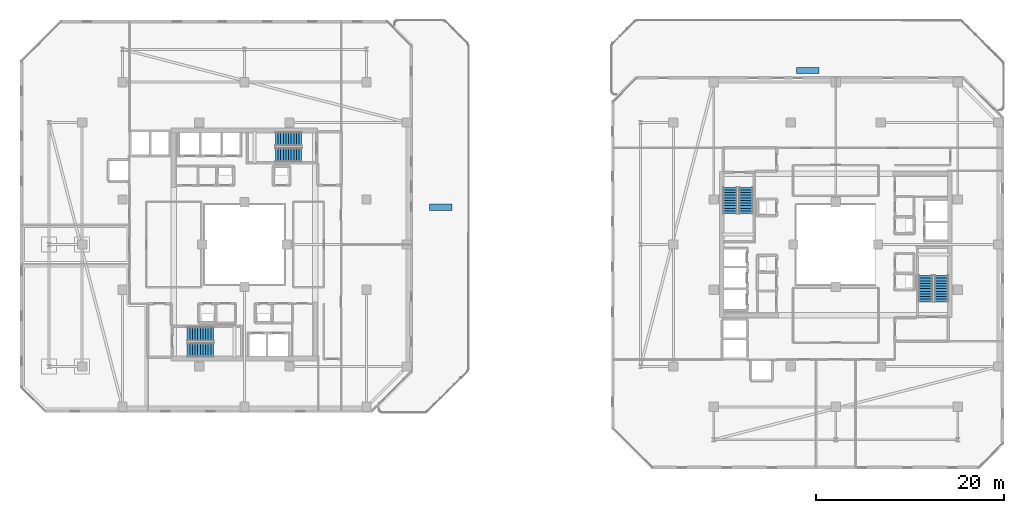
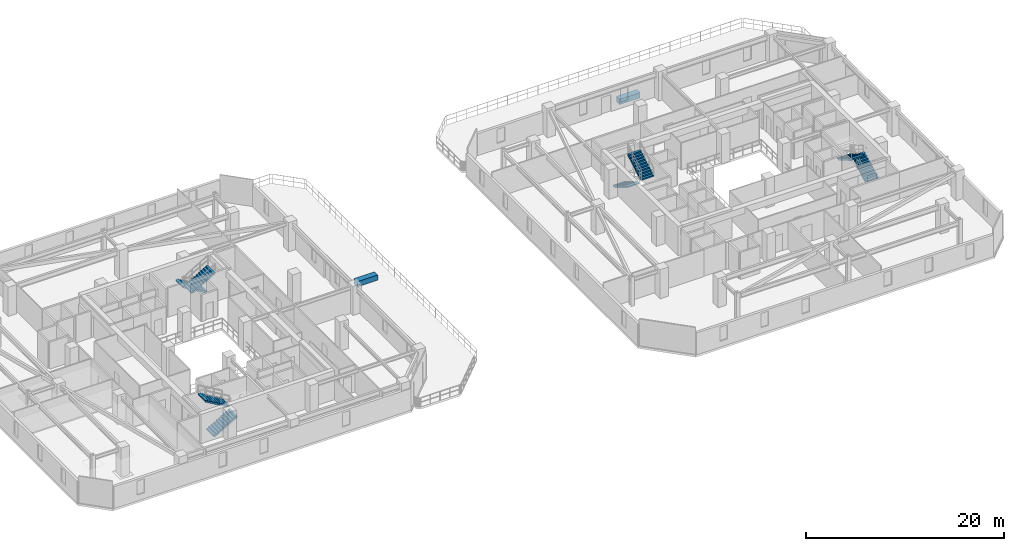
# One storey, part 27 of 32: 8 stair flights, 2 discrete accessories, 4 elements without a shape of their own.
"""IFC4 building model written with IfcOpenShell, lengths in metres."""

from ifc_helpers import new_model, si_unit, direction, frame, origin, origin_2d, place, context, subcontext, project, spatial, polyline, rectangle, outline, extrude, material, type_object, element, aggregate, save


model = new_model("IFC4")

# Units and contexts
model_context = context("Model", 3, precision=1e-05, world=origin(), true_north=direction((0.0, 1.0)))
body_context = subcontext(model_context, "Body", "Model", "MODEL_VIEW")
ifc_project = project(units=[si_unit("LENGTHUNIT", "METRE"), si_unit("AREAUNIT", "SQUARE_METRE"), si_unit("VOLUMEUNIT", "CUBIC_METRE"), si_unit("PLANEANGLEUNIT", "RADIAN"), si_unit("MASSUNIT", "GRAM", prefix="KILO")], contexts=[model_context])

# Site, building, storey
site_placement = place(None, origin())
site = spatial("IfcSite", under=ifc_project, at=site_placement, CompositionType="ELEMENT")
building_placement = place(site_placement, origin())
building = spatial("IfcBuilding", under=site, at=building_placement, Name="Thornwick Lancets Civic Towers", CompositionType="ELEMENT")
storey_placement = place(building_placement, frame((0.0, 0.0, 200.10009765625)))
storey = spatial("IfcBuildingStorey", under=building, at=storey_placement, Name="L53", CompositionType="ELEMENT", Elevation=200.10009765625)

# Stair, stair flights
ifc_material_1 = material(Name="Concrete C40/50", Category="concrete")
stair_type = type_object("IfcStairType", Name="STAIR_DL_3600", PredefinedType="HALF_TURN_STAIR", material=ifc_material_1)
stair_1_placement = place(storey_placement, origin())
stair_1 = element("IfcStair", 1, at=stair_1_placement, inside=storey, type_object=stair_type, Name="L53 Tower A South Exit Stair ST-A1", PredefinedType="HALF_TURN_STAIR")
stair_flight_type = type_object("IfcStairFlightType", Name="FLIGHT_3600", PredefinedType="STRAIGHT", material=ifc_material_1)
stair_flight_1_placement = place(storey_placement, frame((19.39990234375, 15.75, 0.0), z_axis=(0.0, 0.0, 1.0), x_axis=(1.0, 0.0, 0.0)))
stair_flight_1 = element("IfcStairFlight", 2, at=stair_flight_1_placement, type_object=stair_flight_type, Name="ST-A1 flight 1", NumberOfRisers=11, NumberOfTreads=10, PredefinedType="STRAIGHT", RiserHeight=0.163636364, TreadLength=0.28, context=body_context, shape_type="SweptSolid", body=[
    extrude(outline(polyline([(0.0, 0.0), (0.0, 0.16357421875), (0.280029296875, 0.16357421875), (0.280029296875, 0.327392578125), (0.56005859375, 0.327392578125), (0.56005859375, 0.490966796875), (0.840087890625, 0.490966796875), (0.840087890625, 0.654541015625), (1.1201171875, 0.654541015625), (1.1201171875, 0.818115234375), (1.39990234375, 0.818115234375), (1.39990234375, 0.98193359375), (1.679931640625, 0.98193359375), (1.679931640625, 1.1455078125), (1.9599609375, 1.1455078125), (1.9599609375, 1.30908203125), (2.239990234375, 1.30908203125), (2.239990234375, 1.47265625), (2.52001953125, 1.47265625), (2.52001953125, 1.636474609375), (2.800048828125, 1.636474609375), (2.800048828125, 1.800048828125), (2.800048828125, 1.462646484375), (0.297119140625, 0.0), (0.0, 0.0)])), frame((0.0, 0.75, 0.0), z_axis=(0.0, -1.0, 0.0), x_axis=(1.0, 0.0, 0.0)), (0.0, 0.0, 1.0), 1.5),
])
stair_flight_2_placement = place(storey_placement, frame((22.199951171875, 17.449951171875, 1.7998046875), z_axis=(0.0, 0.0, 1.0), x_axis=(-1.0, 0.0, 0.0)))
stair_flight_2 = element("IfcStairFlight", 3, at=stair_flight_2_placement, type_object=stair_flight_type, Name="ST-A1 flight 2", NumberOfRisers=11, NumberOfTreads=10, PredefinedType="STRAIGHT", RiserHeight=0.163636364, TreadLength=0.28, context=body_context, shape_type="SweptSolid", body=[
    extrude(outline(polyline([(0.0, 0.0), (0.0, 0.16357421875), (0.280029296875, 0.16357421875), (0.280029296875, 0.327392578125), (0.56005859375, 0.327392578125), (0.56005859375, 0.490966796875), (0.840087890625, 0.490966796875), (0.840087890625, 0.654541015625), (1.1201171875, 0.654541015625), (1.1201171875, 0.818115234375), (1.39990234375, 0.818115234375), (1.39990234375, 0.98193359375), (1.679931640625, 0.98193359375), (1.679931640625, 1.1455078125), (1.9599609375, 1.1455078125), (1.9599609375, 1.30908203125), (2.239990234375, 1.30908203125), (2.239990234375, 1.47265625), (2.52001953125, 1.47265625), (2.52001953125, 1.636474609375), (2.800048828125, 1.636474609375), (2.800048828125, 1.800048828125), (2.800048828125, 1.462646484375), (0.297119140625, 0.0), (0.0, 0.0)])), frame((0.0, 0.75, 0.0), z_axis=(0.0, -1.0, 0.0), x_axis=(1.0, 0.0, 0.0)), (0.0, 0.0, 1.0), 1.5),
])
aggregate(stair_1, [stair_flight_1, stair_flight_2])

stair_2_placement = place(storey_placement, origin())
stair_2 = element("IfcStair", 4, at=stair_2_placement, inside=storey, type_object=stair_type, Name="L53 Tower A North Exit Stair ST-A2", PredefinedType="HALF_TURN_STAIR")
stair_flight_3_placement = place(storey_placement, frame((31.60009765625, 38.25, 0.0), z_axis=(0.0, 0.0, 1.0), x_axis=(-1.0, 0.0, 0.0)))
stair_flight_3 = element("IfcStairFlight", 5, at=stair_flight_3_placement, type_object=stair_flight_type, Name="ST-A2 flight 1", NumberOfRisers=11, NumberOfTreads=10, PredefinedType="STRAIGHT", RiserHeight=0.163636364, TreadLength=0.28, context=body_context, shape_type="SweptSolid", body=[
    extrude(outline(polyline([(0.0, 0.0), (0.0, 0.16357421875), (0.280029296875, 0.16357421875), (0.280029296875, 0.327392578125), (0.56005859375, 0.327392578125), (0.56005859375, 0.490966796875), (0.840087890625, 0.490966796875), (0.840087890625, 0.654541015625), (1.1201171875, 0.654541015625), (1.1201171875, 0.818115234375), (1.39990234375, 0.818115234375), (1.39990234375, 0.98193359375), (1.679931640625, 0.98193359375), (1.679931640625, 1.1455078125), (1.9599609375, 1.1455078125), (1.9599609375, 1.30908203125), (2.239990234375, 1.30908203125), (2.239990234375, 1.47265625), (2.52001953125, 1.47265625), (2.52001953125, 1.636474609375), (2.800048828125, 1.636474609375), (2.800048828125, 1.800048828125), (2.800048828125, 1.462646484375), (0.297119140625, 0.0), (0.0, 0.0)])), frame((0.0, 0.75, 0.0), z_axis=(0.0, -1.0, 0.0), x_axis=(1.0, 0.0, 0.0)), (0.0, 0.0, 1.0), 1.5),
])
stair_flight_4_placement = place(storey_placement, frame((28.800048828125, 36.550048828125, 1.7998046875), z_axis=(0.0, 0.0, 1.0), x_axis=(1.0, 0.0, 0.0)))
stair_flight_4 = element("IfcStairFlight", 6, at=stair_flight_4_placement, type_object=stair_flight_type, Name="ST-A2 flight 2", NumberOfRisers=11, NumberOfTreads=10, PredefinedType="STRAIGHT", RiserHeight=0.163636364, TreadLength=0.28, context=body_context, shape_type="SweptSolid", body=[
    extrude(outline(polyline([(0.0, 0.0), (0.0, 0.16357421875), (0.280029296875, 0.16357421875), (0.280029296875, 0.327392578125), (0.56005859375, 0.327392578125), (0.56005859375, 0.490966796875), (0.840087890625, 0.490966796875), (0.840087890625, 0.654541015625), (1.1201171875, 0.654541015625), (1.1201171875, 0.818115234375), (1.39990234375, 0.818115234375), (1.39990234375, 0.98193359375), (1.679931640625, 0.98193359375), (1.679931640625, 1.1455078125), (1.9599609375, 1.1455078125), (1.9599609375, 1.30908203125), (2.239990234375, 1.30908203125), (2.239990234375, 1.47265625), (2.52001953125, 1.47265625), (2.52001953125, 1.636474609375), (2.800048828125, 1.636474609375), (2.800048828125, 1.800048828125), (2.800048828125, 1.462646484375), (0.297119140625, 0.0), (0.0, 0.0)])), frame((0.0, 0.75, 0.0), z_axis=(0.0, -1.0, 0.0), x_axis=(1.0, 0.0, 0.0)), (0.0, 0.0, 1.0), 1.5),
])
aggregate(stair_2, [stair_flight_3, stair_flight_4])

stair_3_placement = place(storey_placement, origin())
stair_3 = element("IfcStair", 7, at=stair_3_placement, inside=storey, type_object=stair_type, Name="L53 Tower B East Exit Stair ST-B1", PredefinedType="HALF_TURN_STAIR")
stair_flight_5_placement = place(storey_placement, frame((99.75, 20.89990234375, 0.0), z_axis=(0.0, 0.0, 1.0), x_axis=(0.0, 1.0, 0.0)))
stair_flight_5 = element("IfcStairFlight", 8, at=stair_flight_5_placement, type_object=stair_flight_type, Name="ST-B1 flight 1", NumberOfRisers=11, NumberOfTreads=10, PredefinedType="STRAIGHT", RiserHeight=0.163636364, TreadLength=0.28, context=body_context, shape_type="SweptSolid", body=[
    extrude(outline(polyline([(0.0, 0.0), (0.0, 0.16357421875), (0.280029296875, 0.16357421875), (0.280029296875, 0.327392578125), (0.56005859375, 0.327392578125), (0.56005859375, 0.490966796875), (0.840087890625, 0.490966796875), (0.840087890625, 0.654541015625), (1.1201171875, 0.654541015625), (1.1201171875, 0.818115234375), (1.39990234375, 0.818115234375), (1.39990234375, 0.98193359375), (1.679931640625, 0.98193359375), (1.679931640625, 1.1455078125), (1.9599609375, 1.1455078125), (1.9599609375, 1.30908203125), (2.239990234375, 1.30908203125), (2.239990234375, 1.47265625), (2.52001953125, 1.47265625), (2.52001953125, 1.636474609375), (2.800048828125, 1.636474609375), (2.800048828125, 1.800048828125), (2.800048828125, 1.462646484375), (0.297119140625, 0.0), (0.0, 0.0)])), frame((0.0, 0.75, 0.0), z_axis=(0.0, -1.0, 0.0), x_axis=(1.0, 0.0, 0.0)), (0.0, 0.0, 1.0), 1.5),
])
stair_flight_6_placement = place(storey_placement, frame((98.050048828125, 23.699951171875, 1.7998046875), z_axis=(0.0, 0.0, 1.0), x_axis=(0.0, -1.0, 0.0)))
stair_flight_6 = element("IfcStairFlight", 9, at=stair_flight_6_placement, type_object=stair_flight_type, Name="ST-B1 flight 2", NumberOfRisers=11, NumberOfTreads=10, PredefinedType="STRAIGHT", RiserHeight=0.163636364, TreadLength=0.28, context=body_context, shape_type="SweptSolid", body=[
    extrude(outline(polyline([(0.0, 0.0), (0.0, 0.16357421875), (0.280029296875, 0.16357421875), (0.280029296875, 0.327392578125), (0.56005859375, 0.327392578125), (0.56005859375, 0.490966796875), (0.840087890625, 0.490966796875), (0.840087890625, 0.654541015625), (1.1201171875, 0.654541015625), (1.1201171875, 0.818115234375), (1.39990234375, 0.818115234375), (1.39990234375, 0.98193359375), (1.679931640625, 0.98193359375), (1.679931640625, 1.1455078125), (1.9599609375, 1.1455078125), (1.9599609375, 1.30908203125), (2.239990234375, 1.30908203125), (2.239990234375, 1.47265625), (2.52001953125, 1.47265625), (2.52001953125, 1.636474609375), (2.800048828125, 1.636474609375), (2.800048828125, 1.800048828125), (2.800048828125, 1.462646484375), (0.297119140625, 0.0), (0.0, 0.0)])), frame((0.0, 0.75, 0.0), z_axis=(0.0, -1.0, 0.0), x_axis=(1.0, 0.0, 0.0)), (0.0, 0.0, 1.0), 1.5),
])
aggregate(stair_3, [stair_flight_5, stair_flight_6])

stair_4_placement = place(storey_placement, origin())
stair_4 = element("IfcStair", 10, at=stair_4_placement, inside=storey, type_object=stair_type, Name="L53 Tower B West Exit Stair ST-B2", PredefinedType="HALF_TURN_STAIR")
stair_flight_7_placement = place(storey_placement, frame((77.25, 33.10009765625, 0.0), z_axis=(0.0, 0.0, 1.0), x_axis=(0.0, -1.0, 0.0)))
stair_flight_7 = element("IfcStairFlight", 11, at=stair_flight_7_placement, type_object=stair_flight_type, Name="ST-B2 flight 1", NumberOfRisers=11, NumberOfTreads=10, PredefinedType="STRAIGHT", RiserHeight=0.163636364, TreadLength=0.28, context=body_context, shape_type="SweptSolid", body=[
    extrude(outline(polyline([(0.0, 0.0), (0.0, 0.16357421875), (0.280029296875, 0.16357421875), (0.280029296875, 0.327392578125), (0.56005859375, 0.327392578125), (0.56005859375, 0.490966796875), (0.840087890625, 0.490966796875), (0.840087890625, 0.654541015625), (1.1201171875, 0.654541015625), (1.1201171875, 0.818115234375), (1.39990234375, 0.818115234375), (1.39990234375, 0.98193359375), (1.679931640625, 0.98193359375), (1.679931640625, 1.1455078125), (1.9599609375, 1.1455078125), (1.9599609375, 1.30908203125), (2.239990234375, 1.30908203125), (2.239990234375, 1.47265625), (2.52001953125, 1.47265625), (2.52001953125, 1.636474609375), (2.800048828125, 1.636474609375), (2.800048828125, 1.800048828125), (2.800048828125, 1.462646484375), (0.297119140625, 0.0), (0.0, 0.0)])), frame((0.0, 0.75, 0.0), z_axis=(0.0, -1.0, 0.0), x_axis=(1.0, 0.0, 0.0)), (0.0, 0.0, 1.0), 1.5),
])
stair_flight_8_placement = place(storey_placement, frame((78.949951171875, 30.300048828125, 1.7998046875), z_axis=(0.0, 0.0, 1.0), x_axis=(0.0, 1.0, 0.0)))
stair_flight_8 = element("IfcStairFlight", 12, at=stair_flight_8_placement, type_object=stair_flight_type, Name="ST-B2 flight 2", NumberOfRisers=11, NumberOfTreads=10, PredefinedType="STRAIGHT", RiserHeight=0.163636364, TreadLength=0.28, context=body_context, shape_type="SweptSolid", body=[
    extrude(outline(polyline([(0.0, 0.0), (0.0, 0.16357421875), (0.280029296875, 0.16357421875), (0.280029296875, 0.327392578125), (0.56005859375, 0.327392578125), (0.56005859375, 0.490966796875), (0.840087890625, 0.490966796875), (0.840087890625, 0.654541015625), (1.1201171875, 0.654541015625), (1.1201171875, 0.818115234375), (1.39990234375, 0.818115234375), (1.39990234375, 0.98193359375), (1.679931640625, 0.98193359375), (1.679931640625, 1.1455078125), (1.9599609375, 1.1455078125), (1.9599609375, 1.30908203125), (2.239990234375, 1.30908203125), (2.239990234375, 1.47265625), (2.52001953125, 1.47265625), (2.52001953125, 1.636474609375), (2.800048828125, 1.636474609375), (2.800048828125, 1.800048828125), (2.800048828125, 1.462646484375), (0.297119140625, 0.0), (0.0, 0.0)])), frame((0.0, 0.75, 0.0), z_axis=(0.0, -1.0, 0.0), x_axis=(1.0, 0.0, 0.0)), (0.0, 0.0, 1.0), 1.5),
])
aggregate(stair_4, [stair_flight_7, stair_flight_8])

# Discrete accessories
ifc_material_2 = material(Name="Planted terracotta greenery planter", Category="masonry")
discrete_accessory_type = type_object("IfcDiscreteAccessoryType", Name="ACC_PLANTER_BOX", PredefinedType="USERDEFINED", material=ifc_material_2)
for number, where, z_axis, x_axis, name in (
    (13, (46.409912109375, 30.968994140625, 0.0), (0.0, 0.0, 1.0), (1.0, 0.0, 0.0), "L53 Tower A Sky-Garden Planter 1"),
    (14, (85.5, 45.5478515625, 0.0), (0.0, 0.0, 1.0), (1.0, 0.0, 0.0), "L53 Tower B Sky-Garden Planter 1"),
):
    element("IfcDiscreteAccessory", number, at=place(storey_placement, frame(where, z_axis=z_axis, x_axis=x_axis)), inside=storey, type_object=discrete_accessory_type, Name=name, ObjectType="PLANTER", PredefinedType="USERDEFINED", context=body_context, shape_type="SweptSolid", body=[
        extrude(rectangle(XDim=2.39990234375, YDim=0.64990234375, at=origin_2d()), origin(), (0.0, 0.0, 1.0), 0.64990234375),
    ])

save(model, "model.ifc")
